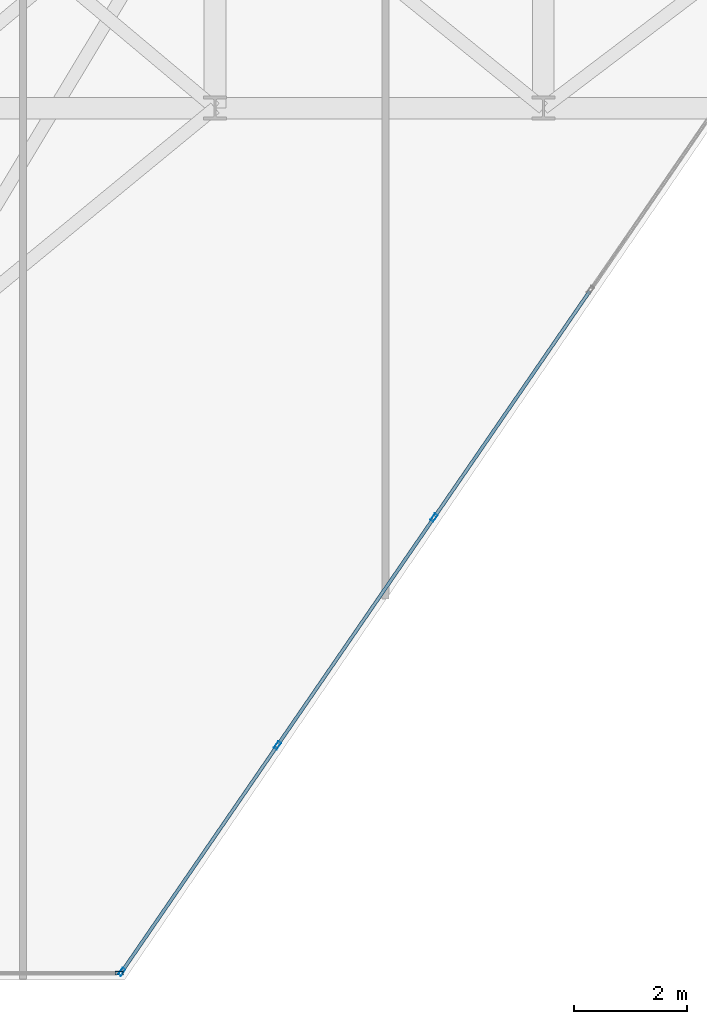
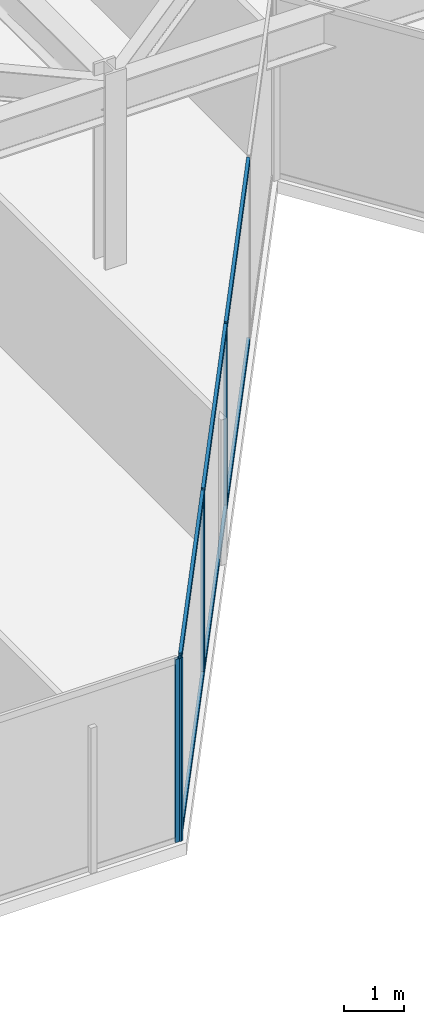
# One storey, part 6 of 27: 10 members, 2 elements without a shape of their own.
"""IFC4 building model written with IfcOpenShell, lengths in metres."""

from ifc_helpers import new_model, si_unit, direction, frame, origin, origin_2d, place, context, subcontext, project, spatial, hollow_rectangle, extrude, material, layer, layer_set, material_profile, profile_set, type_object, element, aggregate, save


model = new_model("IFC4")

# Units and contexts
model_context = context("Model", 3, precision=1e-05, world=origin(), true_north=direction((0.0, 1.0)))
body_context = subcontext(model_context, "Body", "Model", "MODEL_VIEW")
ifc_project = project(units=[si_unit("LENGTHUNIT", "METRE"), si_unit("AREAUNIT", "SQUARE_METRE"), si_unit("VOLUMEUNIT", "CUBIC_METRE"), si_unit("PLANEANGLEUNIT", "RADIAN"), si_unit("MASSUNIT", "GRAM", prefix="KILO")], contexts=[model_context])

# Site, building, storey
site_placement = place(None, origin())
site = spatial("IfcSite", under=ifc_project, at=site_placement, CompositionType="ELEMENT")
building_placement = place(site_placement, origin())
building = spatial("IfcBuilding", under=site, at=building_placement, Name="Kravanh Interchange Tower", CompositionType="ELEMENT")
storey_placement = place(building_placement, frame((0.0, 0.0, 164.5)))
storey = spatial("IfcBuildingStorey", under=building, at=storey_placement, Name="L39", CompositionType="ELEMENT", Elevation=164.5)

# Curtain wall, members
ifc_material_1 = material(Name="Anodised Bronze Aluminium", Category="aluminium")
ifc_layer = layer(ifc_material_1, 0.179931640625)
ifc_layer_set = layer_set([ifc_layer], Name="Unitised Curtain Wall System CW-Z3 Upper Office")
curtain_wall_type = type_object("IfcCurtainWallType", Name="Unitised Curtain Wall System CW-Z3 Upper Office", PredefinedType="NOTDEFINED", material=ifc_layer_set)
curtain_wall_1_placement = place(storey_placement, origin())
curtain_wall_1 = element("IfcCurtainWall", 1, at=curtain_wall_1_placement, inside=storey, type_object=curtain_wall_type, Name="L39 Unitised Curtain Wall CW-L39-05", PredefinedType="NOTDEFINED")
ifc_material_2 = material(Name="Anodised Bronze Aluminium", Category="aluminium")
ifc_material_profile_1 = material_profile(ifc_material_2, hollow_rectangle(XDim=0.06005859375, YDim=0.139892578125, WallThickness=0.00390625, at=origin_2d()), Name="ALU60X140X4")
ifc_profile_set_1 = profile_set([ifc_material_profile_1], Name="Anodised Bronze Aluminium")
member_type_1 = type_object("IfcMemberType", Name="Curtain Wall Mullion ALU60X140X4 Bronze", PredefinedType="MULLION", material=ifc_profile_set_1)
member_1_placement = place(storey_placement, frame((36.66845703125, 19.56591796875, 0.0), z_axis=(0.0, 0.0, 1.0), x_axis=(0.824042223035, -0.566528388217, 0.0)))
member_1 = element("IfcMember", 2, at=member_1_placement, type_object=member_type_1, Name="CW-Z3 mullion 3", PredefinedType="MULLION", context=body_context, shape_type="SweptSolid", body=[
    extrude(hollow_rectangle(XDim=0.06005859375, YDim=0.139892578125, WallThickness=0.00390625, at=origin_2d()), origin(), (0.0, 0.0, 1.0), 3.7548828125),
])
member_2_placement = place(storey_placement, frame((33.902587890625, 15.54296875, 0.0), z_axis=(0.0, 0.0, 1.0), x_axis=(0.824042223035, -0.566528388217, 0.0)))
member_2 = element("IfcMember", 3, at=member_2_placement, type_object=member_type_1, Name="CW-Z3 mullion 4", PredefinedType="MULLION", context=body_context, shape_type="SweptSolid", body=[
    extrude(hollow_rectangle(XDim=0.06005859375, YDim=0.139892578125, WallThickness=0.00390625, at=origin_2d()), origin(), (0.0, 0.0, 1.0), 3.7548828125),
])
member_3_placement = place(storey_placement, frame((31.15380859375, 11.544677734375, 0.0), z_axis=(0.0, 0.0, 1.0), x_axis=(0.824042223035, -0.566528388217, 0.0)))
member_3 = element("IfcMember", 4, at=member_3_placement, type_object=member_type_1, Name="CW-Z3 mullion 5", PredefinedType="MULLION", context=body_context, shape_type="SweptSolid", body=[
    extrude(hollow_rectangle(XDim=0.06005859375, YDim=0.139892578125, WallThickness=0.00390625, at=origin_2d()), origin(), (0.0, 0.0, 1.0), 3.7548828125),
])

# Curtain wall, member
curtain_wall_2_placement = place(storey_placement, origin())
curtain_wall_2 = element("IfcCurtainWall", 5, at=curtain_wall_2_placement, inside=storey, type_object=curtain_wall_type, Name="L39 Unitised Curtain Wall CW-L39-06", PredefinedType="NOTDEFINED")
member_4_placement = place(storey_placement, frame((31.10693359375, 11.52001953125, 0.0), z_axis=(0.0, 0.0, 1.0), x_axis=(0.0, -1.0, 0.0)))
member_4 = element("IfcMember", 6, at=member_4_placement, type_object=member_type_1, Name="CW-Z3 mullion 1", PredefinedType="MULLION", context=body_context, shape_type="SweptSolid", body=[
    extrude(hollow_rectangle(XDim=0.06005859375, YDim=0.139892578125, WallThickness=0.00390625, at=origin_2d()), origin(), (0.0, 0.0, 1.0), 3.7548828125),
])
aggregate(curtain_wall_2, [member_4])

# Member
ifc_material_3 = material(Name="Anodised Bronze Aluminium", Category="aluminium")
ifc_material_profile_2 = material_profile(ifc_material_3, hollow_rectangle(XDim=0.06005859375, YDim=0.139892578125, WallThickness=0.00390625, at=origin_2d()), Name="ALU60X140X4")
ifc_profile_set_2 = profile_set([ifc_material_profile_2], Name="Anodised Bronze Aluminium")
member_type_2 = type_object("IfcMemberType", Name="Curtain Wall Transom ALU60X140X4 Bronze", PredefinedType="USERDEFINED", material=ifc_profile_set_2)
member_5_placement = place(storey_placement, frame((39.417236328125, 23.564208984375, 0.030029296875), z_axis=(-0.566503037389, -0.824059651135, 0.0), x_axis=(0.824059651135, -0.566503037389, 0.0)))
member_5 = element("IfcMember", 7, at=member_5_placement, type_object=member_type_2, Name="CW-Z3 transom 2.1", ObjectType="TRANSOM", PredefinedType="USERDEFINED", context=body_context, shape_type="SweptSolid", body=[
    extrude(hollow_rectangle(XDim=0.06005859375, YDim=0.139892578125, WallThickness=0.00390625, at=origin_2d()), origin(), (0.0, 0.0, 1.0), 4.822021484375),
])

member_6_placement = place(storey_placement, frame((39.417236328125, 23.564208984375, 3.72509765625), z_axis=(-0.566503037389, -0.824059651135, 0.0), x_axis=(0.824059651135, -0.566503037389, 0.0)))
member_6 = element("IfcMember", 8, at=member_6_placement, type_object=member_type_2, Name="CW-Z3 transom 2.2", ObjectType="TRANSOM", PredefinedType="USERDEFINED", context=body_context, shape_type="SweptSolid", body=[
    extrude(hollow_rectangle(XDim=0.06005859375, YDim=0.139892578125, WallThickness=0.00390625, at=origin_2d()), origin(), (0.0, 0.0, 1.0), 4.822021484375),
])

member_7_placement = place(storey_placement, frame((36.6513671875, 19.541259765625, 0.030029296875), z_axis=(-0.566503037389, -0.824059651135, 0.0), x_axis=(0.824059651135, -0.566503037389, 0.0)))
member_7 = element("IfcMember", 9, at=member_7_placement, type_object=member_type_2, Name="CW-Z3 transom 3.1", ObjectType="TRANSOM", PredefinedType="USERDEFINED", context=body_context, shape_type="SweptSolid", body=[
    extrude(hollow_rectangle(XDim=0.06005859375, YDim=0.139892578125, WallThickness=0.00390625, at=origin_2d()), origin(), (0.0, 0.0, 1.0), 4.822021484375),
])

member_8_placement = place(storey_placement, frame((36.6513671875, 19.541259765625, 3.72509765625), z_axis=(-0.566503037389, -0.824059651135, 0.0), x_axis=(0.824059651135, -0.566503037389, 0.0)))
member_8 = element("IfcMember", 10, at=member_8_placement, type_object=member_type_2, Name="CW-Z3 transom 3.2", ObjectType="TRANSOM", PredefinedType="USERDEFINED", context=body_context, shape_type="SweptSolid", body=[
    extrude(hollow_rectangle(XDim=0.06005859375, YDim=0.139892578125, WallThickness=0.00390625, at=origin_2d()), origin(), (0.0, 0.0, 1.0), 4.822021484375),
])

member_9_placement = place(storey_placement, frame((33.8857421875, 15.518310546875, 0.030029296875), z_axis=(-0.566518012045, -0.824049356549, 0.0), x_axis=(0.824049356549, -0.566518012045, 0.0)))
member_9 = element("IfcMember", 11, at=member_9_placement, type_object=member_type_2, Name="CW-Z3 transom 4.1", ObjectType="TRANSOM", PredefinedType="USERDEFINED", context=body_context, shape_type="SweptSolid", body=[
    extrude(hollow_rectangle(XDim=0.06005859375, YDim=0.139892578125, WallThickness=0.00390625, at=origin_2d()), origin(), (0.0, 0.0, 1.0), 4.792236328125),
])

member_10_placement = place(storey_placement, frame((33.8857421875, 15.518310546875, 3.72509765625), z_axis=(-0.566518012045, -0.824049356549, 0.0), x_axis=(0.824049356549, -0.566518012045, 0.0)))
member_10 = element("IfcMember", 12, at=member_10_placement, type_object=member_type_2, Name="CW-Z3 transom 4.2", ObjectType="TRANSOM", PredefinedType="USERDEFINED", context=body_context, shape_type="SweptSolid", body=[
    extrude(hollow_rectangle(XDim=0.06005859375, YDim=0.139892578125, WallThickness=0.00390625, at=origin_2d()), origin(), (0.0, 0.0, 1.0), 4.792236328125),
])

aggregate(curtain_wall_1, [member_1, member_2, member_3, member_5, member_6, member_7, member_8, member_9, member_10])

save(model, "model.ifc")
